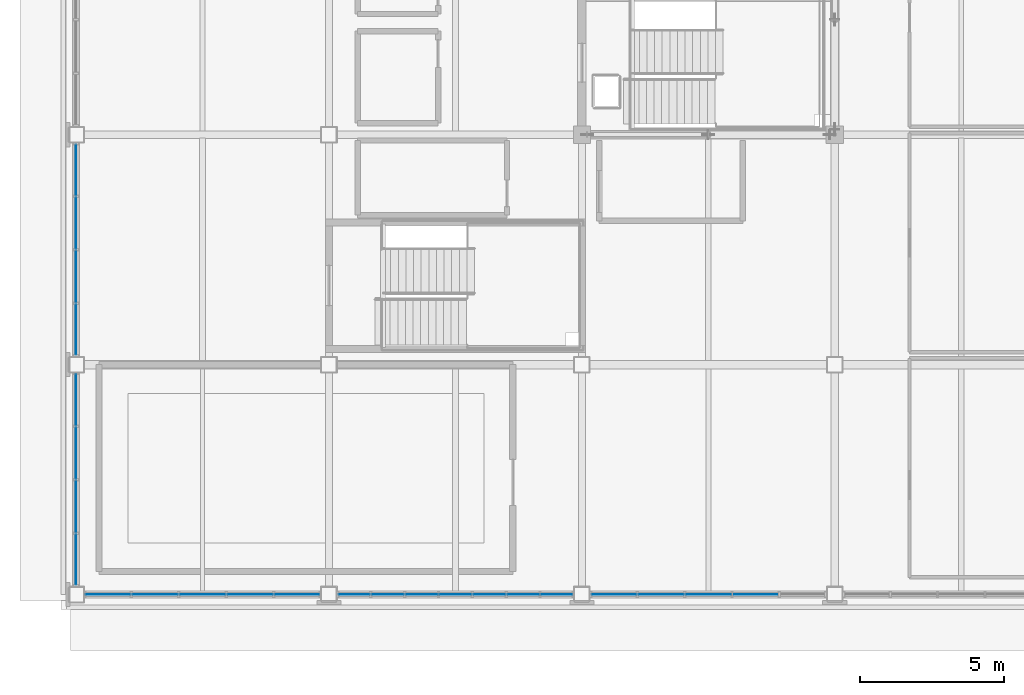
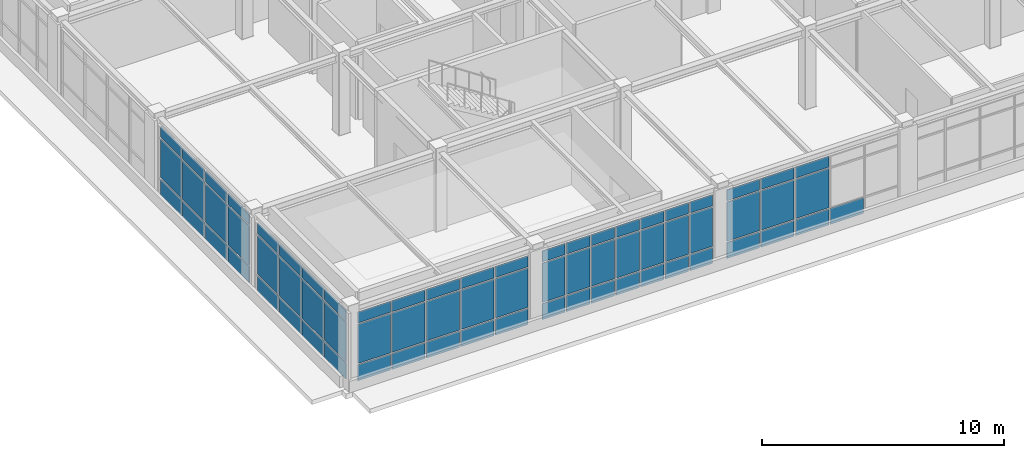
# One storey, part 26 of 64: 70 plates, 5 elements without a shape of their own.
"""IFC4 building model written with IfcOpenShell, lengths in metres."""

from ifc_helpers import new_model, si_unit, direction, frame, origin, origin_2d, place, context, subcontext, project, spatial, rectangle, extrude, material, layer, layer_set, type_object, element, aggregate, save


model = new_model("IFC4")

# Units and contexts
model_context = context("Model", 3, precision=1e-05, world=origin(), true_north=direction((0.0, 1.0)))
body_context = subcontext(model_context, "Body", "Model", "MODEL_VIEW")
ifc_project = project(units=[si_unit("LENGTHUNIT", "METRE"), si_unit("AREAUNIT", "SQUARE_METRE"), si_unit("VOLUMEUNIT", "CUBIC_METRE"), si_unit("PLANEANGLEUNIT", "RADIAN"), si_unit("MASSUNIT", "GRAM", prefix="KILO")], contexts=[model_context])

# Site, building, storey
site_placement = place(None, origin())
site = spatial("IfcSite", under=ifc_project, at=site_placement, CompositionType="ELEMENT")
building_placement = place(site_placement, origin())
building = spatial("IfcBuilding", under=site, at=building_placement, Name="Zhaolan Boulevard Law Courts", CompositionType="ELEMENT")
storey_placement = place(building_placement, frame((0.0, 0.0, 20.39990234375)))
storey = spatial("IfcBuildingStorey", under=building, at=storey_placement, Name="L04", CompositionType="ELEMENT", Elevation=20.39990234375)

# Curtain wall, plates
ifc_material_1 = material(Name="Thermally broken aluminium and low-E glazing", Category="aluminium")
curtain_wall_type_1 = type_object("IfcCurtainWallType", Name="CURTAIN WALL M17", PredefinedType="USERDEFINED", material=ifc_material_1)
curtain_wall_1_placement = place(storey_placement, origin())
curtain_wall_1 = element("IfcCurtainWall", 1, at=curtain_wall_1_placement, inside=storey, type_object=curtain_wall_type_1, Name="Curtain Wall CW-L04-185", ObjectType="CURTAIN WALL", PredefinedType="USERDEFINED")
ifc_material_2 = material(Name="Triple-silver low-E insulated glazing", Category="glass")
ifc_layer = layer(ifc_material_2, 0.028076171875)
ifc_layer_set = layer_set([ifc_layer])
plate_type = type_object("IfcPlateType", Name="CWPANEL LOW E28", PredefinedType="CURTAIN_PANEL", material=ifc_layer_set)
plate_1_placement = place(storey_placement, frame((1.117919921875, 30.0, 0.06494140625), z_axis=(0.0, 0.0, 1.0), x_axis=(1.0, 0.0, 0.0)))
plate_1 = element("IfcPlate", 2, at=plate_1_placement, type_object=plate_type, Name="CW-L04-185 panel 1.1", PredefinedType="CURTAIN_PANEL", context=body_context, shape_type="SweptSolid", body=[
    extrude(rectangle(XDim=1.5517578125, YDim=0.028076171875, at=origin_2d()), origin(), (0.0, 0.0, 1.0), 0.802490234375),
])
plate_2_placement = place(storey_placement, frame((1.117919921875, 30.0, 0.9326171875), z_axis=(0.0, 0.0, 1.0), x_axis=(1.0, 0.0, 0.0)))
plate_2 = element("IfcPlate", 3, at=plate_2_placement, type_object=plate_type, Name="CW-L04-185 panel 1.2", PredefinedType="CURTAIN_PANEL", context=body_context, shape_type="SweptSolid", body=[
    extrude(rectangle(XDim=1.5517578125, YDim=0.028076171875, at=origin_2d()), origin(), (0.0, 0.0, 1.0), 1.97802734375),
])
plate_3_placement = place(storey_placement, frame((1.117919921875, 30.0, 2.9755859375), z_axis=(0.0, 0.0, 1.0), x_axis=(1.0, 0.0, 0.0)))
plate_3 = element("IfcPlate", 4, at=plate_3_placement, type_object=plate_type, Name="CW-L04-185 panel 1.3", PredefinedType="CURTAIN_PANEL", context=body_context, shape_type="SweptSolid", body=[
    extrude(rectangle(XDim=1.5517578125, YDim=0.028076171875, at=origin_2d()), origin(), (0.0, 0.0, 1.0), 0.552490234375),
])
plate_4_placement = place(storey_placement, frame((2.750732421875, 30.0, 0.06494140625), z_axis=(0.0, 0.0, 1.0), x_axis=(1.0, 0.0, 0.0)))
plate_4 = element("IfcPlate", 5, at=plate_4_placement, type_object=plate_type, Name="CW-L04-185 panel 2.1", PredefinedType="CURTAIN_PANEL", context=body_context, shape_type="SweptSolid", body=[
    extrude(rectangle(XDim=1.584228515625, YDim=0.028076171875, at=origin_2d()), origin(), (0.0, 0.0, 1.0), 0.802490234375),
])
plate_5_placement = place(storey_placement, frame((2.750732421875, 30.0, 0.9326171875), z_axis=(0.0, 0.0, 1.0), x_axis=(1.0, 0.0, 0.0)))
plate_5 = element("IfcPlate", 6, at=plate_5_placement, type_object=plate_type, Name="CW-L04-185 panel 2.2", PredefinedType="CURTAIN_PANEL", context=body_context, shape_type="SweptSolid", body=[
    extrude(rectangle(XDim=1.584228515625, YDim=0.028076171875, at=origin_2d()), origin(), (0.0, 0.0, 1.0), 1.97802734375),
])
plate_6_placement = place(storey_placement, frame((2.750732421875, 30.0, 2.9755859375), z_axis=(0.0, 0.0, 1.0), x_axis=(1.0, 0.0, 0.0)))
plate_6 = element("IfcPlate", 7, at=plate_6_placement, type_object=plate_type, Name="CW-L04-185 panel 2.3", PredefinedType="CURTAIN_PANEL", context=body_context, shape_type="SweptSolid", body=[
    extrude(rectangle(XDim=1.584228515625, YDim=0.028076171875, at=origin_2d()), origin(), (0.0, 0.0, 1.0), 0.552490234375),
])
plate_7_placement = place(storey_placement, frame((4.39990234375, 30.0, 0.06494140625), z_axis=(0.0, 0.0, 1.0), x_axis=(1.0, 0.0, 0.0)))
plate_7 = element("IfcPlate", 8, at=plate_7_placement, type_object=plate_type, Name="CW-L04-185 panel 3.1", PredefinedType="CURTAIN_PANEL", context=body_context, shape_type="SweptSolid", body=[
    extrude(rectangle(XDim=1.584228515625, YDim=0.028076171875, at=origin_2d()), origin(), (0.0, 0.0, 1.0), 0.802490234375),
])
plate_8_placement = place(storey_placement, frame((4.39990234375, 30.0, 0.9326171875), z_axis=(0.0, 0.0, 1.0), x_axis=(1.0, 0.0, 0.0)))
plate_8 = element("IfcPlate", 9, at=plate_8_placement, type_object=plate_type, Name="CW-L04-185 panel 3.2", PredefinedType="CURTAIN_PANEL", context=body_context, shape_type="SweptSolid", body=[
    extrude(rectangle(XDim=1.584228515625, YDim=0.028076171875, at=origin_2d()), origin(), (0.0, 0.0, 1.0), 1.97802734375),
])
plate_9_placement = place(storey_placement, frame((4.39990234375, 30.0, 2.9755859375), z_axis=(0.0, 0.0, 1.0), x_axis=(1.0, 0.0, 0.0)))
plate_9 = element("IfcPlate", 10, at=plate_9_placement, type_object=plate_type, Name="CW-L04-185 panel 3.3", PredefinedType="CURTAIN_PANEL", context=body_context, shape_type="SweptSolid", body=[
    extrude(rectangle(XDim=1.584228515625, YDim=0.028076171875, at=origin_2d()), origin(), (0.0, 0.0, 1.0), 0.552490234375),
])
plate_10_placement = place(storey_placement, frame((6.04931640625, 30.0, 0.06494140625), z_axis=(0.0, 0.0, 1.0), x_axis=(1.0, 0.0, 0.0)))
plate_10 = element("IfcPlate", 11, at=plate_10_placement, type_object=plate_type, Name="CW-L04-185 panel 4.1", PredefinedType="CURTAIN_PANEL", context=body_context, shape_type="SweptSolid", body=[
    extrude(rectangle(XDim=1.584228515625, YDim=0.028076171875, at=origin_2d()), origin(), (0.0, 0.0, 1.0), 0.802490234375),
])
plate_11_placement = place(storey_placement, frame((6.04931640625, 30.0, 0.9326171875), z_axis=(0.0, 0.0, 1.0), x_axis=(1.0, 0.0, 0.0)))
plate_11 = element("IfcPlate", 12, at=plate_11_placement, type_object=plate_type, Name="CW-L04-185 panel 4.2", PredefinedType="CURTAIN_PANEL", context=body_context, shape_type="SweptSolid", body=[
    extrude(rectangle(XDim=1.584228515625, YDim=0.028076171875, at=origin_2d()), origin(), (0.0, 0.0, 1.0), 1.97802734375),
])
plate_12_placement = place(storey_placement, frame((6.04931640625, 30.0, 2.9755859375), z_axis=(0.0, 0.0, 1.0), x_axis=(1.0, 0.0, 0.0)))
plate_12 = element("IfcPlate", 13, at=plate_12_placement, type_object=plate_type, Name="CW-L04-185 panel 4.3", PredefinedType="CURTAIN_PANEL", context=body_context, shape_type="SweptSolid", body=[
    extrude(rectangle(XDim=1.584228515625, YDim=0.028076171875, at=origin_2d()), origin(), (0.0, 0.0, 1.0), 0.552490234375),
])
plate_13_placement = place(storey_placement, frame((7.68212890625, 30.0, 0.06494140625), z_axis=(0.0, 0.0, 1.0), x_axis=(1.0, 0.0, 0.0)))
plate_13 = element("IfcPlate", 14, at=plate_13_placement, type_object=plate_type, Name="CW-L04-185 panel 5.1", PredefinedType="CURTAIN_PANEL", context=body_context, shape_type="SweptSolid", body=[
    extrude(rectangle(XDim=1.5517578125, YDim=0.028076171875, at=origin_2d()), origin(), (0.0, 0.0, 1.0), 0.802490234375),
])
plate_14_placement = place(storey_placement, frame((7.68212890625, 30.0, 0.9326171875), z_axis=(0.0, 0.0, 1.0), x_axis=(1.0, 0.0, 0.0)))
plate_14 = element("IfcPlate", 15, at=plate_14_placement, type_object=plate_type, Name="CW-L04-185 panel 5.2", PredefinedType="CURTAIN_PANEL", context=body_context, shape_type="SweptSolid", body=[
    extrude(rectangle(XDim=1.5517578125, YDim=0.028076171875, at=origin_2d()), origin(), (0.0, 0.0, 1.0), 1.97802734375),
])
plate_15_placement = place(storey_placement, frame((7.68212890625, 30.0, 2.9755859375), z_axis=(0.0, 0.0, 1.0), x_axis=(1.0, 0.0, 0.0)))
plate_15 = element("IfcPlate", 16, at=plate_15_placement, type_object=plate_type, Name="CW-L04-185 panel 5.3", PredefinedType="CURTAIN_PANEL", context=body_context, shape_type="SweptSolid", body=[
    extrude(rectangle(XDim=1.5517578125, YDim=0.028076171875, at=origin_2d()), origin(), (0.0, 0.0, 1.0), 0.552490234375),
])
aggregate(curtain_wall_1, [plate_1, plate_2, plate_3, plate_4, plate_5, plate_6, plate_7, plate_8, plate_9, plate_10, plate_11, plate_12, plate_13, plate_14, plate_15])

ifc_material_3 = material(Name="Thermally broken aluminium and low-E glazing", Category="aluminium")
curtain_wall_type_2 = type_object("IfcCurtainWallType", Name="CURTAIN WALL M18", PredefinedType="USERDEFINED", material=ifc_material_3)
curtain_wall_2_placement = place(storey_placement, origin())
curtain_wall_2 = element("IfcCurtainWall", 17, at=curtain_wall_2_placement, inside=storey, type_object=curtain_wall_type_2, Name="Curtain Wall CW-L04-186", ObjectType="CURTAIN WALL", PredefinedType="USERDEFINED")
plate_16_placement = place(storey_placement, frame((9.68212890625, 30.0, 0.06494140625), z_axis=(0.0, 0.0, 1.0), x_axis=(1.0, 0.0, 0.0)))
plate_16 = element("IfcPlate", 18, at=plate_16_placement, type_object=plate_type, Name="CW-L04-186 panel 1.1", PredefinedType="CURTAIN_PANEL", context=body_context, shape_type="SweptSolid", body=[
    extrude(rectangle(XDim=1.08056640625, YDim=0.028076171875, at=origin_2d()), origin(), (0.0, 0.0, 1.0), 0.802490234375),
])
plate_17_placement = place(storey_placement, frame((9.68212890625, 30.0, 0.9326171875), z_axis=(0.0, 0.0, 1.0), x_axis=(1.0, 0.0, 0.0)))
plate_17 = element("IfcPlate", 19, at=plate_17_placement, type_object=plate_type, Name="CW-L04-186 panel 1.2", PredefinedType="CURTAIN_PANEL", context=body_context, shape_type="SweptSolid", body=[
    extrude(rectangle(XDim=1.08056640625, YDim=0.028076171875, at=origin_2d()), origin(), (0.0, 0.0, 1.0), 1.97802734375),
])
plate_18_placement = place(storey_placement, frame((9.68212890625, 30.0, 2.9755859375), z_axis=(0.0, 0.0, 1.0), x_axis=(1.0, 0.0, 0.0)))
plate_18 = element("IfcPlate", 20, at=plate_18_placement, type_object=plate_type, Name="CW-L04-186 panel 1.3", PredefinedType="CURTAIN_PANEL", context=body_context, shape_type="SweptSolid", body=[
    extrude(rectangle(XDim=1.08056640625, YDim=0.028076171875, at=origin_2d()), origin(), (0.0, 0.0, 1.0), 0.552490234375),
])
plate_19_placement = place(storey_placement, frame((10.843994140625, 30.0, 0.06494140625), z_axis=(0.0, 0.0, 1.0), x_axis=(1.0, 0.0, 0.0)))
plate_19 = element("IfcPlate", 21, at=plate_19_placement, type_object=plate_type, Name="CW-L04-186 panel 2.1", PredefinedType="CURTAIN_PANEL", context=body_context, shape_type="SweptSolid", body=[
    extrude(rectangle(XDim=1.113037109375, YDim=0.028076171875, at=origin_2d()), origin(), (0.0, 0.0, 1.0), 0.802490234375),
])
plate_20_placement = place(storey_placement, frame((10.843994140625, 30.0, 0.9326171875), z_axis=(0.0, 0.0, 1.0), x_axis=(1.0, 0.0, 0.0)))
plate_20 = element("IfcPlate", 22, at=plate_20_placement, type_object=plate_type, Name="CW-L04-186 panel 2.2", PredefinedType="CURTAIN_PANEL", context=body_context, shape_type="SweptSolid", body=[
    extrude(rectangle(XDim=1.113037109375, YDim=0.028076171875, at=origin_2d()), origin(), (0.0, 0.0, 1.0), 1.97802734375),
])
plate_21_placement = place(storey_placement, frame((10.843994140625, 30.0, 2.9755859375), z_axis=(0.0, 0.0, 1.0), x_axis=(1.0, 0.0, 0.0)))
plate_21 = element("IfcPlate", 23, at=plate_21_placement, type_object=plate_type, Name="CW-L04-186 panel 2.3", PredefinedType="CURTAIN_PANEL", context=body_context, shape_type="SweptSolid", body=[
    extrude(rectangle(XDim=1.113037109375, YDim=0.028076171875, at=origin_2d()), origin(), (0.0, 0.0, 1.0), 0.552490234375),
])
plate_22_placement = place(storey_placement, frame((12.02197265625, 30.0, 0.06494140625), z_axis=(0.0, 0.0, 1.0), x_axis=(1.0, 0.0, 0.0)))
plate_22 = element("IfcPlate", 24, at=plate_22_placement, type_object=plate_type, Name="CW-L04-186 panel 3.1", PredefinedType="CURTAIN_PANEL", context=body_context, shape_type="SweptSolid", body=[
    extrude(rectangle(XDim=1.113037109375, YDim=0.028076171875, at=origin_2d()), origin(), (0.0, 0.0, 1.0), 0.802490234375),
])
plate_23_placement = place(storey_placement, frame((12.02197265625, 30.0, 0.9326171875), z_axis=(0.0, 0.0, 1.0), x_axis=(1.0, 0.0, 0.0)))
plate_23 = element("IfcPlate", 25, at=plate_23_placement, type_object=plate_type, Name="CW-L04-186 panel 3.2", PredefinedType="CURTAIN_PANEL", context=body_context, shape_type="SweptSolid", body=[
    extrude(rectangle(XDim=1.113037109375, YDim=0.028076171875, at=origin_2d()), origin(), (0.0, 0.0, 1.0), 1.97802734375),
])
plate_24_placement = place(storey_placement, frame((12.02197265625, 30.0, 2.9755859375), z_axis=(0.0, 0.0, 1.0), x_axis=(1.0, 0.0, 0.0)))
plate_24 = element("IfcPlate", 26, at=plate_24_placement, type_object=plate_type, Name="CW-L04-186 panel 3.3", PredefinedType="CURTAIN_PANEL", context=body_context, shape_type="SweptSolid", body=[
    extrude(rectangle(XDim=1.113037109375, YDim=0.028076171875, at=origin_2d()), origin(), (0.0, 0.0, 1.0), 0.552490234375),
])
plate_25_placement = place(storey_placement, frame((13.199951171875, 30.0, 0.06494140625), z_axis=(0.0, 0.0, 1.0), x_axis=(1.0, 0.0, 0.0)))
plate_25 = element("IfcPlate", 27, at=plate_25_placement, type_object=plate_type, Name="CW-L04-186 panel 4.1", PredefinedType="CURTAIN_PANEL", context=body_context, shape_type="SweptSolid", body=[
    extrude(rectangle(XDim=1.113037109375, YDim=0.028076171875, at=origin_2d()), origin(), (0.0, 0.0, 1.0), 0.802490234375),
])
plate_26_placement = place(storey_placement, frame((13.199951171875, 30.0, 0.9326171875), z_axis=(0.0, 0.0, 1.0), x_axis=(1.0, 0.0, 0.0)))
plate_26 = element("IfcPlate", 28, at=plate_26_placement, type_object=plate_type, Name="CW-L04-186 panel 4.2", PredefinedType="CURTAIN_PANEL", context=body_context, shape_type="SweptSolid", body=[
    extrude(rectangle(XDim=1.113037109375, YDim=0.028076171875, at=origin_2d()), origin(), (0.0, 0.0, 1.0), 1.97802734375),
])
plate_27_placement = place(storey_placement, frame((13.199951171875, 30.0, 2.9755859375), z_axis=(0.0, 0.0, 1.0), x_axis=(1.0, 0.0, 0.0)))
plate_27 = element("IfcPlate", 29, at=plate_27_placement, type_object=plate_type, Name="CW-L04-186 panel 4.3", PredefinedType="CURTAIN_PANEL", context=body_context, shape_type="SweptSolid", body=[
    extrude(rectangle(XDim=1.113037109375, YDim=0.028076171875, at=origin_2d()), origin(), (0.0, 0.0, 1.0), 0.552490234375),
])
plate_28_placement = place(storey_placement, frame((14.3779296875, 30.0, 0.06494140625), z_axis=(0.0, 0.0, 1.0), x_axis=(1.0, 0.0, 0.0)))
plate_28 = element("IfcPlate", 30, at=plate_28_placement, type_object=plate_type, Name="CW-L04-186 panel 5.1", PredefinedType="CURTAIN_PANEL", context=body_context, shape_type="SweptSolid", body=[
    extrude(rectangle(XDim=1.113037109375, YDim=0.028076171875, at=origin_2d()), origin(), (0.0, 0.0, 1.0), 0.802490234375),
])
plate_29_placement = place(storey_placement, frame((14.3779296875, 30.0, 0.9326171875), z_axis=(0.0, 0.0, 1.0), x_axis=(1.0, 0.0, 0.0)))
plate_29 = element("IfcPlate", 31, at=plate_29_placement, type_object=plate_type, Name="CW-L04-186 panel 5.2", PredefinedType="CURTAIN_PANEL", context=body_context, shape_type="SweptSolid", body=[
    extrude(rectangle(XDim=1.113037109375, YDim=0.028076171875, at=origin_2d()), origin(), (0.0, 0.0, 1.0), 1.97802734375),
])
plate_30_placement = place(storey_placement, frame((14.3779296875, 30.0, 2.9755859375), z_axis=(0.0, 0.0, 1.0), x_axis=(1.0, 0.0, 0.0)))
plate_30 = element("IfcPlate", 32, at=plate_30_placement, type_object=plate_type, Name="CW-L04-186 panel 5.3", PredefinedType="CURTAIN_PANEL", context=body_context, shape_type="SweptSolid", body=[
    extrude(rectangle(XDim=1.113037109375, YDim=0.028076171875, at=origin_2d()), origin(), (0.0, 0.0, 1.0), 0.552490234375),
])
plate_31_placement = place(storey_placement, frame((15.555908203125, 30.0, 0.06494140625), z_axis=(0.0, 0.0, 1.0), x_axis=(1.0, 0.0, 0.0)))
plate_31 = element("IfcPlate", 33, at=plate_31_placement, type_object=plate_type, Name="CW-L04-186 panel 6.1", PredefinedType="CURTAIN_PANEL", context=body_context, shape_type="SweptSolid", body=[
    extrude(rectangle(XDim=1.113037109375, YDim=0.028076171875, at=origin_2d()), origin(), (0.0, 0.0, 1.0), 0.802490234375),
])
plate_32_placement = place(storey_placement, frame((15.555908203125, 30.0, 0.9326171875), z_axis=(0.0, 0.0, 1.0), x_axis=(1.0, 0.0, 0.0)))
plate_32 = element("IfcPlate", 34, at=plate_32_placement, type_object=plate_type, Name="CW-L04-186 panel 6.2", PredefinedType="CURTAIN_PANEL", context=body_context, shape_type="SweptSolid", body=[
    extrude(rectangle(XDim=1.113037109375, YDim=0.028076171875, at=origin_2d()), origin(), (0.0, 0.0, 1.0), 1.97802734375),
])
plate_33_placement = place(storey_placement, frame((15.555908203125, 30.0, 2.9755859375), z_axis=(0.0, 0.0, 1.0), x_axis=(1.0, 0.0, 0.0)))
plate_33 = element("IfcPlate", 35, at=plate_33_placement, type_object=plate_type, Name="CW-L04-186 panel 6.3", PredefinedType="CURTAIN_PANEL", context=body_context, shape_type="SweptSolid", body=[
    extrude(rectangle(XDim=1.113037109375, YDim=0.028076171875, at=origin_2d()), origin(), (0.0, 0.0, 1.0), 0.552490234375),
])
plate_34_placement = place(storey_placement, frame((16.7177734375, 30.0, 0.06494140625), z_axis=(0.0, 0.0, 1.0), x_axis=(1.0, 0.0, 0.0)))
plate_34 = element("IfcPlate", 36, at=plate_34_placement, type_object=plate_type, Name="CW-L04-186 panel 7.1", PredefinedType="CURTAIN_PANEL", context=body_context, shape_type="SweptSolid", body=[
    extrude(rectangle(XDim=1.08056640625, YDim=0.028076171875, at=origin_2d()), origin(), (0.0, 0.0, 1.0), 0.802490234375),
])
plate_35_placement = place(storey_placement, frame((16.7177734375, 30.0, 0.9326171875), z_axis=(0.0, 0.0, 1.0), x_axis=(1.0, 0.0, 0.0)))
plate_35 = element("IfcPlate", 37, at=plate_35_placement, type_object=plate_type, Name="CW-L04-186 panel 7.2", PredefinedType="CURTAIN_PANEL", context=body_context, shape_type="SweptSolid", body=[
    extrude(rectangle(XDim=1.08056640625, YDim=0.028076171875, at=origin_2d()), origin(), (0.0, 0.0, 1.0), 1.97802734375),
])
plate_36_placement = place(storey_placement, frame((16.7177734375, 30.0, 2.9755859375), z_axis=(0.0, 0.0, 1.0), x_axis=(1.0, 0.0, 0.0)))
plate_36 = element("IfcPlate", 38, at=plate_36_placement, type_object=plate_type, Name="CW-L04-186 panel 7.3", PredefinedType="CURTAIN_PANEL", context=body_context, shape_type="SweptSolid", body=[
    extrude(rectangle(XDim=1.08056640625, YDim=0.028076171875, at=origin_2d()), origin(), (0.0, 0.0, 1.0), 0.552490234375),
])
aggregate(curtain_wall_2, [plate_16, plate_17, plate_18, plate_19, plate_20, plate_21, plate_22, plate_23, plate_24, plate_25, plate_26, plate_27, plate_28, plate_29, plate_30, plate_31, plate_32, plate_33, plate_34, plate_35, plate_36])

ifc_material_4 = material(Name="Thermally broken aluminium and low-E glazing", Category="aluminium")
curtain_wall_type_3 = type_object("IfcCurtainWallType", Name="CURTAIN WALL M19", PredefinedType="USERDEFINED", material=ifc_material_4)
curtain_wall_3_placement = place(storey_placement, origin())
curtain_wall_3 = element("IfcCurtainWall", 39, at=curtain_wall_3_placement, inside=storey, type_object=curtain_wall_type_3, Name="Curtain Wall CW-L04-187", ObjectType="CURTAIN WALL", PredefinedType="USERDEFINED")
plate_37_placement = place(storey_placement, frame((18.7177734375, 30.0, 0.06494140625), z_axis=(0.0, 0.0, 1.0), x_axis=(1.0, 0.0, 0.0)))
plate_37 = element("IfcPlate", 40, at=plate_37_placement, type_object=plate_type, Name="CW-L04-187 panel 1.1", PredefinedType="CURTAIN_PANEL", context=body_context, shape_type="SweptSolid", body=[
    extrude(rectangle(XDim=1.5517578125, YDim=0.028076171875, at=origin_2d()), origin(), (0.0, 0.0, 1.0), 0.802490234375),
])
plate_38_placement = place(storey_placement, frame((18.7177734375, 30.0, 0.9326171875), z_axis=(0.0, 0.0, 1.0), x_axis=(1.0, 0.0, 0.0)))
plate_38 = element("IfcPlate", 41, at=plate_38_placement, type_object=plate_type, Name="CW-L04-187 panel 1.2", PredefinedType="CURTAIN_PANEL", context=body_context, shape_type="SweptSolid", body=[
    extrude(rectangle(XDim=1.5517578125, YDim=0.028076171875, at=origin_2d()), origin(), (0.0, 0.0, 1.0), 1.97802734375),
])
plate_39_placement = place(storey_placement, frame((18.7177734375, 30.0, 2.9755859375), z_axis=(0.0, 0.0, 1.0), x_axis=(1.0, 0.0, 0.0)))
plate_39 = element("IfcPlate", 42, at=plate_39_placement, type_object=plate_type, Name="CW-L04-187 panel 1.3", PredefinedType="CURTAIN_PANEL", context=body_context, shape_type="SweptSolid", body=[
    extrude(rectangle(XDim=1.5517578125, YDim=0.028076171875, at=origin_2d()), origin(), (0.0, 0.0, 1.0), 0.552490234375),
])
plate_40_placement = place(storey_placement, frame((20.350830078125, 30.0, 0.06494140625), z_axis=(0.0, 0.0, 1.0), x_axis=(1.0, 0.0, 0.0)))
plate_40 = element("IfcPlate", 43, at=plate_40_placement, type_object=plate_type, Name="CW-L04-187 panel 2.1", PredefinedType="CURTAIN_PANEL", context=body_context, shape_type="SweptSolid", body=[
    extrude(rectangle(XDim=1.584228515625, YDim=0.028076171875, at=origin_2d()), origin(), (0.0, 0.0, 1.0), 0.802490234375),
])
plate_41_placement = place(storey_placement, frame((20.350830078125, 30.0, 0.9326171875), z_axis=(0.0, 0.0, 1.0), x_axis=(1.0, 0.0, 0.0)))
plate_41 = element("IfcPlate", 44, at=plate_41_placement, type_object=plate_type, Name="CW-L04-187 panel 2.2", PredefinedType="CURTAIN_PANEL", context=body_context, shape_type="SweptSolid", body=[
    extrude(rectangle(XDim=1.584228515625, YDim=0.028076171875, at=origin_2d()), origin(), (0.0, 0.0, 1.0), 1.97802734375),
])
plate_42_placement = place(storey_placement, frame((20.350830078125, 30.0, 2.9755859375), z_axis=(0.0, 0.0, 1.0), x_axis=(1.0, 0.0, 0.0)))
plate_42 = element("IfcPlate", 45, at=plate_42_placement, type_object=plate_type, Name="CW-L04-187 panel 2.3", PredefinedType="CURTAIN_PANEL", context=body_context, shape_type="SweptSolid", body=[
    extrude(rectangle(XDim=1.584228515625, YDim=0.028076171875, at=origin_2d()), origin(), (0.0, 0.0, 1.0), 0.552490234375),
])
plate_43_placement = place(storey_placement, frame((22.0, 30.0, 0.06494140625), z_axis=(0.0, 0.0, 1.0), x_axis=(1.0, 0.0, 0.0)))
plate_43 = element("IfcPlate", 46, at=plate_43_placement, type_object=plate_type, Name="CW-L04-187 panel 3.1", PredefinedType="CURTAIN_PANEL", context=body_context, shape_type="SweptSolid", body=[
    extrude(rectangle(XDim=1.584228515625, YDim=0.028076171875, at=origin_2d()), origin(), (0.0, 0.0, 1.0), 0.802490234375),
])
plate_44_placement = place(storey_placement, frame((22.0, 30.0, 0.9326171875), z_axis=(0.0, 0.0, 1.0), x_axis=(1.0, 0.0, 0.0)))
plate_44 = element("IfcPlate", 47, at=plate_44_placement, type_object=plate_type, Name="CW-L04-187 panel 3.2", PredefinedType="CURTAIN_PANEL", context=body_context, shape_type="SweptSolid", body=[
    extrude(rectangle(XDim=1.584228515625, YDim=0.028076171875, at=origin_2d()), origin(), (0.0, 0.0, 1.0), 1.97802734375),
])
plate_45_placement = place(storey_placement, frame((22.0, 30.0, 2.9755859375), z_axis=(0.0, 0.0, 1.0), x_axis=(1.0, 0.0, 0.0)))
plate_45 = element("IfcPlate", 48, at=plate_45_placement, type_object=plate_type, Name="CW-L04-187 panel 3.3", PredefinedType="CURTAIN_PANEL", context=body_context, shape_type="SweptSolid", body=[
    extrude(rectangle(XDim=1.584228515625, YDim=0.028076171875, at=origin_2d()), origin(), (0.0, 0.0, 1.0), 0.552490234375),
])
plate_46_placement = place(storey_placement, frame((23.649169921875, 30.0, 0.06494140625), z_axis=(0.0, 0.0, 1.0), x_axis=(1.0, 0.0, 0.0)))
plate_46 = element("IfcPlate", 49, at=plate_46_placement, type_object=plate_type, Name="CW-L04-187 panel 4.1", PredefinedType="CURTAIN_PANEL", context=body_context, shape_type="SweptSolid", body=[
    extrude(rectangle(XDim=1.584228515625, YDim=0.028076171875, at=origin_2d()), origin(), (0.0, 0.0, 1.0), 0.802490234375),
])
aggregate(curtain_wall_3, [plate_37, plate_38, plate_39, plate_40, plate_41, plate_42, plate_43, plate_44, plate_45, plate_46])

ifc_material_5 = material(Name="Thermally broken aluminium and low-E glazing", Category="aluminium")
curtain_wall_type_4 = type_object("IfcCurtainWallType", Name="CURTAIN WALL M22", PredefinedType="USERDEFINED", material=ifc_material_5)
curtain_wall_4_placement = place(storey_placement, origin())
curtain_wall_4 = element("IfcCurtainWall", 50, at=curtain_wall_4_placement, inside=storey, type_object=curtain_wall_type_4, Name="Curtain Wall CW-L04-190", ObjectType="CURTAIN WALL", PredefinedType="USERDEFINED")
plate_47_placement = place(storey_placement, frame((0.0, 36.77587890625, 0.06494140625), z_axis=(0.0, 0.0, 1.0), x_axis=(0.0, -1.0, 0.0)))
plate_47 = element("IfcPlate", 51, at=plate_47_placement, type_object=plate_type, Name="CW-L04-190 panel 1.1", PredefinedType="CURTAIN_PANEL", context=body_context, shape_type="SweptSolid", body=[
    extrude(rectangle(XDim=1.763916015625, YDim=0.028076171875, at=origin_2d()), origin(), (0.0, 0.0, 1.0), 0.802490234375),
])
plate_48_placement = place(storey_placement, frame((0.0, 36.77587890625, 0.9326171875), z_axis=(0.0, 0.0, 1.0), x_axis=(0.0, -1.0, 0.0)))
plate_48 = element("IfcPlate", 52, at=plate_48_placement, type_object=plate_type, Name="CW-L04-190 panel 1.2", PredefinedType="CURTAIN_PANEL", context=body_context, shape_type="SweptSolid", body=[
    extrude(rectangle(XDim=1.763916015625, YDim=0.028076171875, at=origin_2d()), origin(), (0.0, 0.0, 1.0), 1.97802734375),
])
plate_49_placement = place(storey_placement, frame((0.0, 36.77587890625, 2.9755859375), z_axis=(0.0, 0.0, 1.0), x_axis=(0.0, -1.0, 0.0)))
plate_49 = element("IfcPlate", 53, at=plate_49_placement, type_object=plate_type, Name="CW-L04-190 panel 1.3", PredefinedType="CURTAIN_PANEL", context=body_context, shape_type="SweptSolid", body=[
    extrude(rectangle(XDim=1.763916015625, YDim=0.028076171875, at=origin_2d()), origin(), (0.0, 0.0, 1.0), 0.552490234375),
])
plate_50_placement = place(storey_placement, frame((0.0, 34.9306640625, 0.06494140625), z_axis=(0.0, 0.0, 1.0), x_axis=(0.0, -1.0, 0.0)))
plate_50 = element("IfcPlate", 54, at=plate_50_placement, type_object=plate_type, Name="CW-L04-190 panel 2.1", PredefinedType="CURTAIN_PANEL", context=body_context, shape_type="SweptSolid", body=[
    extrude(rectangle(XDim=1.79638671875, YDim=0.028076171875, at=origin_2d()), origin(), (0.0, 0.0, 1.0), 0.802490234375),
])
plate_51_placement = place(storey_placement, frame((0.0, 34.9306640625, 0.9326171875), z_axis=(0.0, 0.0, 1.0), x_axis=(0.0, -1.0, 0.0)))
plate_51 = element("IfcPlate", 55, at=plate_51_placement, type_object=plate_type, Name="CW-L04-190 panel 2.2", PredefinedType="CURTAIN_PANEL", context=body_context, shape_type="SweptSolid", body=[
    extrude(rectangle(XDim=1.79638671875, YDim=0.028076171875, at=origin_2d()), origin(), (0.0, 0.0, 1.0), 1.97802734375),
])
plate_52_placement = place(storey_placement, frame((0.0, 34.9306640625, 2.9755859375), z_axis=(0.0, 0.0, 1.0), x_axis=(0.0, -1.0, 0.0)))
plate_52 = element("IfcPlate", 56, at=plate_52_placement, type_object=plate_type, Name="CW-L04-190 panel 2.3", PredefinedType="CURTAIN_PANEL", context=body_context, shape_type="SweptSolid", body=[
    extrude(rectangle(XDim=1.79638671875, YDim=0.028076171875, at=origin_2d()), origin(), (0.0, 0.0, 1.0), 0.552490234375),
])
plate_53_placement = place(storey_placement, frame((0.0, 33.0693359375, 0.06494140625), z_axis=(0.0, 0.0, 1.0), x_axis=(0.0, -1.0, 0.0)))
plate_53 = element("IfcPlate", 57, at=plate_53_placement, type_object=plate_type, Name="CW-L04-190 panel 3.1", PredefinedType="CURTAIN_PANEL", context=body_context, shape_type="SweptSolid", body=[
    extrude(rectangle(XDim=1.79638671875, YDim=0.028076171875, at=origin_2d()), origin(), (0.0, 0.0, 1.0), 0.802490234375),
])
plate_54_placement = place(storey_placement, frame((0.0, 33.0693359375, 0.9326171875), z_axis=(0.0, 0.0, 1.0), x_axis=(0.0, -1.0, 0.0)))
plate_54 = element("IfcPlate", 58, at=plate_54_placement, type_object=plate_type, Name="CW-L04-190 panel 3.2", PredefinedType="CURTAIN_PANEL", context=body_context, shape_type="SweptSolid", body=[
    extrude(rectangle(XDim=1.79638671875, YDim=0.028076171875, at=origin_2d()), origin(), (0.0, 0.0, 1.0), 1.97802734375),
])
plate_55_placement = place(storey_placement, frame((0.0, 33.0693359375, 2.9755859375), z_axis=(0.0, 0.0, 1.0), x_axis=(0.0, -1.0, 0.0)))
plate_55 = element("IfcPlate", 59, at=plate_55_placement, type_object=plate_type, Name="CW-L04-190 panel 3.3", PredefinedType="CURTAIN_PANEL", context=body_context, shape_type="SweptSolid", body=[
    extrude(rectangle(XDim=1.79638671875, YDim=0.028076171875, at=origin_2d()), origin(), (0.0, 0.0, 1.0), 0.552490234375),
])
plate_56_placement = place(storey_placement, frame((0.0, 31.22412109375, 0.06494140625), z_axis=(0.0, 0.0, 1.0), x_axis=(0.0, -1.0, 0.0)))
plate_56 = element("IfcPlate", 60, at=plate_56_placement, type_object=plate_type, Name="CW-L04-190 panel 4.1", PredefinedType="CURTAIN_PANEL", context=body_context, shape_type="SweptSolid", body=[
    extrude(rectangle(XDim=1.763916015625, YDim=0.028076171875, at=origin_2d()), origin(), (0.0, 0.0, 1.0), 0.802490234375),
])
plate_57_placement = place(storey_placement, frame((0.0, 31.22412109375, 0.9326171875), z_axis=(0.0, 0.0, 1.0), x_axis=(0.0, -1.0, 0.0)))
plate_57 = element("IfcPlate", 61, at=plate_57_placement, type_object=plate_type, Name="CW-L04-190 panel 4.2", PredefinedType="CURTAIN_PANEL", context=body_context, shape_type="SweptSolid", body=[
    extrude(rectangle(XDim=1.763916015625, YDim=0.028076171875, at=origin_2d()), origin(), (0.0, 0.0, 1.0), 1.97802734375),
])
plate_58_placement = place(storey_placement, frame((0.0, 31.22412109375, 2.9755859375), z_axis=(0.0, 0.0, 1.0), x_axis=(0.0, -1.0, 0.0)))
plate_58 = element("IfcPlate", 62, at=plate_58_placement, type_object=plate_type, Name="CW-L04-190 panel 4.3", PredefinedType="CURTAIN_PANEL", context=body_context, shape_type="SweptSolid", body=[
    extrude(rectangle(XDim=1.763916015625, YDim=0.028076171875, at=origin_2d()), origin(), (0.0, 0.0, 1.0), 0.552490234375),
])
aggregate(curtain_wall_4, [plate_47, plate_48, plate_49, plate_50, plate_51, plate_52, plate_53, plate_54, plate_55, plate_56, plate_57, plate_58])

ifc_material_6 = material(Name="Thermally broken aluminium and low-E glazing", Category="aluminium")
curtain_wall_type_5 = type_object("IfcCurtainWallType", Name="CURTAIN WALL M23", PredefinedType="USERDEFINED", material=ifc_material_6)
curtain_wall_5_placement = place(storey_placement, origin())
curtain_wall_5 = element("IfcCurtainWall", 63, at=curtain_wall_5_placement, inside=storey, type_object=curtain_wall_type_5, Name="Curtain Wall CW-L04-191", ObjectType="CURTAIN WALL", PredefinedType="USERDEFINED")
plate_59_placement = place(storey_placement, frame((0.0, 44.77587890625, 0.06494140625), z_axis=(0.0, 0.0, 1.0), x_axis=(0.0, -1.0, 0.0)))
plate_59 = element("IfcPlate", 64, at=plate_59_placement, type_object=plate_type, Name="CW-L04-191 panel 1.1", PredefinedType="CURTAIN_PANEL", context=body_context, shape_type="SweptSolid", body=[
    extrude(rectangle(XDim=1.763916015625, YDim=0.028076171875, at=origin_2d()), origin(), (0.0, 0.0, 1.0), 0.802490234375),
])
plate_60_placement = place(storey_placement, frame((0.0, 44.77587890625, 0.9326171875), z_axis=(0.0, 0.0, 1.0), x_axis=(0.0, -1.0, 0.0)))
plate_60 = element("IfcPlate", 65, at=plate_60_placement, type_object=plate_type, Name="CW-L04-191 panel 1.2", PredefinedType="CURTAIN_PANEL", context=body_context, shape_type="SweptSolid", body=[
    extrude(rectangle(XDim=1.763916015625, YDim=0.028076171875, at=origin_2d()), origin(), (0.0, 0.0, 1.0), 1.97802734375),
])
plate_61_placement = place(storey_placement, frame((0.0, 44.77587890625, 2.9755859375), z_axis=(0.0, 0.0, 1.0), x_axis=(0.0, -1.0, 0.0)))
plate_61 = element("IfcPlate", 66, at=plate_61_placement, type_object=plate_type, Name="CW-L04-191 panel 1.3", PredefinedType="CURTAIN_PANEL", context=body_context, shape_type="SweptSolid", body=[
    extrude(rectangle(XDim=1.763916015625, YDim=0.028076171875, at=origin_2d()), origin(), (0.0, 0.0, 1.0), 0.552490234375),
])
plate_62_placement = place(storey_placement, frame((0.0, 42.9306640625, 0.06494140625), z_axis=(0.0, 0.0, 1.0), x_axis=(0.0, -1.0, 0.0)))
plate_62 = element("IfcPlate", 67, at=plate_62_placement, type_object=plate_type, Name="CW-L04-191 panel 2.1", PredefinedType="CURTAIN_PANEL", context=body_context, shape_type="SweptSolid", body=[
    extrude(rectangle(XDim=1.79638671875, YDim=0.028076171875, at=origin_2d()), origin(), (0.0, 0.0, 1.0), 0.802490234375),
])
plate_63_placement = place(storey_placement, frame((0.0, 42.9306640625, 0.9326171875), z_axis=(0.0, 0.0, 1.0), x_axis=(0.0, -1.0, 0.0)))
plate_63 = element("IfcPlate", 68, at=plate_63_placement, type_object=plate_type, Name="CW-L04-191 panel 2.2", PredefinedType="CURTAIN_PANEL", context=body_context, shape_type="SweptSolid", body=[
    extrude(rectangle(XDim=1.79638671875, YDim=0.028076171875, at=origin_2d()), origin(), (0.0, 0.0, 1.0), 1.97802734375),
])
plate_64_placement = place(storey_placement, frame((0.0, 42.9306640625, 2.9755859375), z_axis=(0.0, 0.0, 1.0), x_axis=(0.0, -1.0, 0.0)))
plate_64 = element("IfcPlate", 69, at=plate_64_placement, type_object=plate_type, Name="CW-L04-191 panel 2.3", PredefinedType="CURTAIN_PANEL", context=body_context, shape_type="SweptSolid", body=[
    extrude(rectangle(XDim=1.79638671875, YDim=0.028076171875, at=origin_2d()), origin(), (0.0, 0.0, 1.0), 0.552490234375),
])
plate_65_placement = place(storey_placement, frame((0.0, 41.0693359375, 0.06494140625), z_axis=(0.0, 0.0, 1.0), x_axis=(0.0, -1.0, 0.0)))
plate_65 = element("IfcPlate", 70, at=plate_65_placement, type_object=plate_type, Name="CW-L04-191 panel 3.1", PredefinedType="CURTAIN_PANEL", context=body_context, shape_type="SweptSolid", body=[
    extrude(rectangle(XDim=1.79638671875, YDim=0.028076171875, at=origin_2d()), origin(), (0.0, 0.0, 1.0), 0.802490234375),
])
plate_66_placement = place(storey_placement, frame((0.0, 41.0693359375, 0.9326171875), z_axis=(0.0, 0.0, 1.0), x_axis=(0.0, -1.0, 0.0)))
plate_66 = element("IfcPlate", 71, at=plate_66_placement, type_object=plate_type, Name="CW-L04-191 panel 3.2", PredefinedType="CURTAIN_PANEL", context=body_context, shape_type="SweptSolid", body=[
    extrude(rectangle(XDim=1.79638671875, YDim=0.028076171875, at=origin_2d()), origin(), (0.0, 0.0, 1.0), 1.97802734375),
])
plate_67_placement = place(storey_placement, frame((0.0, 41.0693359375, 2.9755859375), z_axis=(0.0, 0.0, 1.0), x_axis=(0.0, -1.0, 0.0)))
plate_67 = element("IfcPlate", 72, at=plate_67_placement, type_object=plate_type, Name="CW-L04-191 panel 3.3", PredefinedType="CURTAIN_PANEL", context=body_context, shape_type="SweptSolid", body=[
    extrude(rectangle(XDim=1.79638671875, YDim=0.028076171875, at=origin_2d()), origin(), (0.0, 0.0, 1.0), 0.552490234375),
])
plate_68_placement = place(storey_placement, frame((0.0, 39.22412109375, 0.06494140625), z_axis=(0.0, 0.0, 1.0), x_axis=(0.0, -1.0, 0.0)))
plate_68 = element("IfcPlate", 73, at=plate_68_placement, type_object=plate_type, Name="CW-L04-191 panel 4.1", PredefinedType="CURTAIN_PANEL", context=body_context, shape_type="SweptSolid", body=[
    extrude(rectangle(XDim=1.763916015625, YDim=0.028076171875, at=origin_2d()), origin(), (0.0, 0.0, 1.0), 0.802490234375),
])
plate_69_placement = place(storey_placement, frame((0.0, 39.22412109375, 0.9326171875), z_axis=(0.0, 0.0, 1.0), x_axis=(0.0, -1.0, 0.0)))
plate_69 = element("IfcPlate", 74, at=plate_69_placement, type_object=plate_type, Name="CW-L04-191 panel 4.2", PredefinedType="CURTAIN_PANEL", context=body_context, shape_type="SweptSolid", body=[
    extrude(rectangle(XDim=1.763916015625, YDim=0.028076171875, at=origin_2d()), origin(), (0.0, 0.0, 1.0), 1.97802734375),
])
plate_70_placement = place(storey_placement, frame((0.0, 39.22412109375, 2.9755859375), z_axis=(0.0, 0.0, 1.0), x_axis=(0.0, -1.0, 0.0)))
plate_70 = element("IfcPlate", 75, at=plate_70_placement, type_object=plate_type, Name="CW-L04-191 panel 4.3", PredefinedType="CURTAIN_PANEL", context=body_context, shape_type="SweptSolid", body=[
    extrude(rectangle(XDim=1.763916015625, YDim=0.028076171875, at=origin_2d()), origin(), (0.0, 0.0, 1.0), 0.552490234375),
])
aggregate(curtain_wall_5, [plate_59, plate_60, plate_61, plate_62, plate_63, plate_64, plate_65, plate_66, plate_67, plate_68, plate_69, plate_70])

save(model, "model.ifc")
